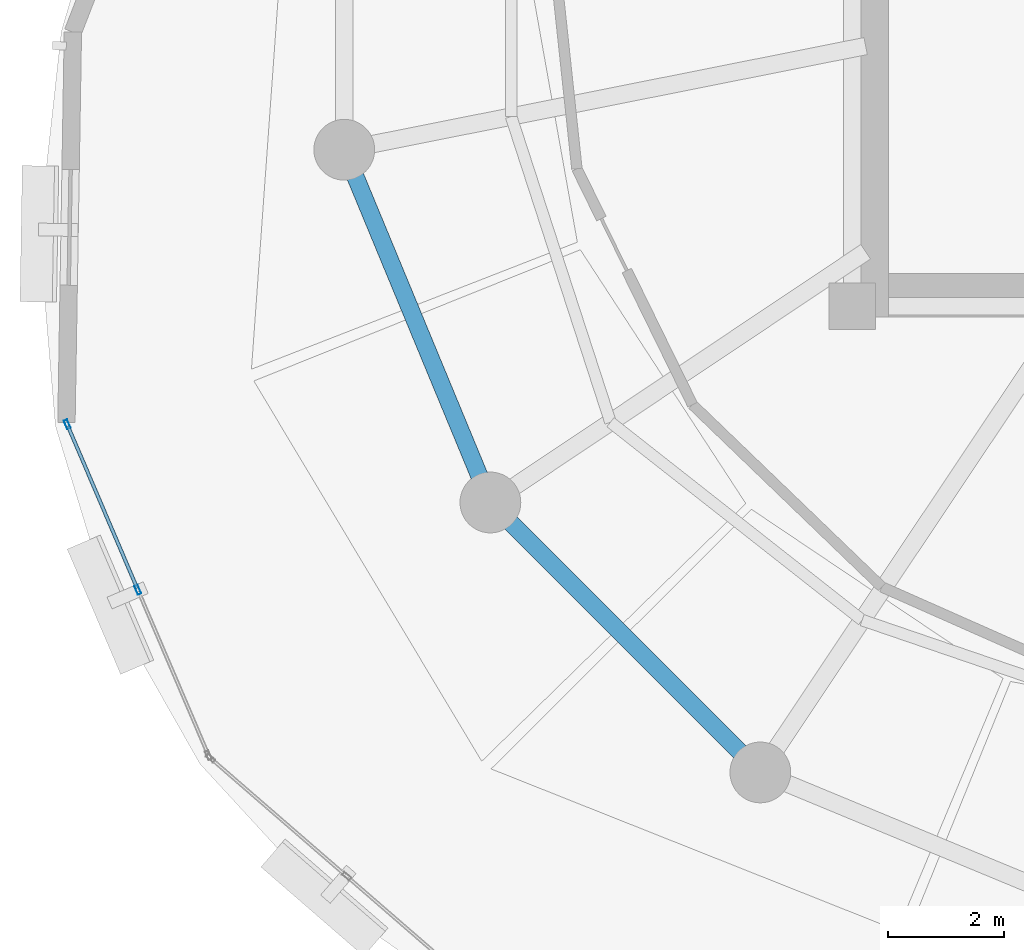
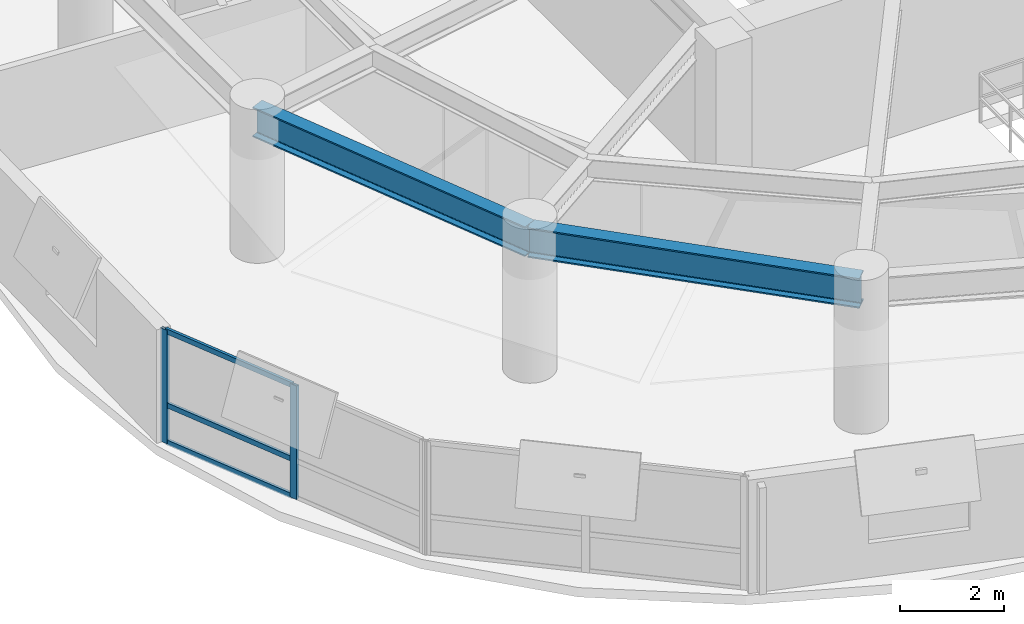
# One storey, part 4 of 12: 5 members, 2 beams, 1 element without a shape of its own.
"""IFC4 building model written with IfcOpenShell, lengths in metres."""

from ifc_helpers import new_model, si_unit, direction, frame, origin, origin_2d, place, context, subcontext, project, spatial, hollow_rectangle, i_section, extrude, material, layer, layer_set, material_profile, profile_set, type_object, element, aggregate, save


model = new_model("IFC4")

# Units and contexts
model_context = context("Model", 3, precision=1e-05, world=origin(), true_north=direction((0.0, 1.0)))
body_context = subcontext(model_context, "Body", "Model", "MODEL_VIEW")
ifc_project = project(units=[si_unit("LENGTHUNIT", "METRE"), si_unit("AREAUNIT", "SQUARE_METRE"), si_unit("VOLUMEUNIT", "CUBIC_METRE"), si_unit("PLANEANGLEUNIT", "RADIAN"), si_unit("MASSUNIT", "GRAM", prefix="KILO"), si_unit("THERMODYNAMICTEMPERATUREUNIT", "KELVIN"), si_unit("POWERUNIT", "WATT")], contexts=[model_context])

# Site, building, storey
site_placement = place(None, origin())
site = spatial("IfcSite", under=ifc_project, at=site_placement, CompositionType="ELEMENT")
building_placement = place(site_placement, origin())
building = spatial("IfcBuilding", under=site, at=building_placement, Name="Ocrelia Relay Tower", CompositionType="ELEMENT")
storey_placement = place(building_placement, frame((0.0, 0.0, 184.39990234375)))
storey = spatial("IfcBuildingStorey", under=building, at=storey_placement, Name="L44", CompositionType="ELEMENT", Elevation=184.39990234375)

# Beams
ifc_material_1 = material(Name="Steel S355", Category="steel")
ifc_material_profile_1 = material_profile(ifc_material_1, i_section(OverallWidth=0.300048828125, OverallDepth=0.699951171875, WebThickness=0.01708984375, FlangeThickness=0.031982421875, FilletRadius=0.027099609375, at=origin_2d()), Name="HEB 700")
ifc_profile_set_1 = profile_set([ifc_material_profile_1], Name="Steel S355")
beam_type = type_object("IfcBeamType", Name="BM-HEB700", PredefinedType="BEAM", material=ifc_profile_set_1)
for number, where, z_axis, x_axis, name in (
    (1, (17.4248046875, 22.702880859375, 3.030029296875), (0.382687508402, -0.923877844151, 0.0), (0.923877844151, 0.382687508402, 0.0), "L44 Perimeter Spandrel Beam S09"),
    (2, (19.9482421875, 16.61083984375, 3.030029296875), (0.707106781187, -0.707106781187, 0.0), (0.707106781187, 0.707106781187, 0.0), "L44 Perimeter Spandrel Beam S10"),
):
    element("IfcBeam", number, at=place(storey_placement, frame(where, z_axis=z_axis, x_axis=x_axis)), inside=storey, type_object=beam_type, Name=name, PredefinedType="BEAM", context=body_context, shape_type="SweptSolid", body=[
        extrude(i_section(OverallWidth=0.300048828125, OverallDepth=0.699951171875, WebThickness=0.01708984375, FlangeThickness=0.031982421875, FilletRadius=0.027099609375, at=origin_2d()), origin(), (0.0, 0.0, 1.0), 6.593994140625),
    ])

# Curtain wall, members
ifc_material_2 = material(Name="Aluminium and solar-control low-E glass", Category="aluminium")
ifc_layer = layer(ifc_material_2, 0.179931640625, Name="Aluminium and solar-control low-E glass")
ifc_layer_set = layer_set([ifc_layer], Name="Aluminium and solar-control low-E glass")
curtain_wall_type = type_object("IfcCurtainWallType", Name="CW-SYS-Z3-CLOU", PredefinedType="NOTDEFINED", material=ifc_layer_set)
curtain_wall_placement = place(storey_placement, origin())
curtain_wall = element("IfcCurtainWall", 3, at=curtain_wall_placement, inside=storey, type_object=curtain_wall_type, Name="L44 Elliptical Tower Curtain Wall Bay 09", PredefinedType="NOTDEFINED")
ifc_material_3 = material(Name="Anodised bronze aluminium", Category="aluminium")
ifc_material_profile_2 = material_profile(ifc_material_3, hollow_rectangle(XDim=0.06494140625, YDim=0.159912109375, WallThickness=0.0048828125, at=origin_2d()), Name="CW-MUL-160x65")
ifc_profile_set_2 = profile_set([ifc_material_profile_2], Name="Anodised bronze aluminium")
member_type_1 = type_object("IfcMemberType", Name="CW-SYS-Z3-CLOU-MUL", PredefinedType="MULLION", material=ifc_profile_set_2)
member_1_placement = place(storey_placement, frame((12.638916015625, 17.9609375, 0.0), z_axis=(0.0, 0.0, 1.0), x_axis=(0.91968752156, 0.392651069891, 0.0)))
member_1 = element("IfcMember", 4, at=member_1_placement, type_object=member_type_1, Name="CW-Z3 mullion 1", PredefinedType="MULLION", context=body_context, shape_type="SweptSolid", body=[
    extrude(hollow_rectangle(XDim=0.06494140625, YDim=0.159912109375, WallThickness=0.0048828125, at=origin_2d()), origin(), (0.0, 0.0, 1.0), 2.66015625),
])
member_2_placement = place(storey_placement, frame((13.859619140625, 15.101806640625, 0.0), z_axis=(0.0, 0.0, 1.0), x_axis=(0.91968752156, 0.392651069891, 0.0)))
member_2 = element("IfcMember", 5, at=member_2_placement, type_object=member_type_1, Name="CW-Z3 mullion 2", PredefinedType="MULLION", context=body_context, shape_type="SweptSolid", body=[
    extrude(hollow_rectangle(XDim=0.06494140625, YDim=0.159912109375, WallThickness=0.0048828125, at=origin_2d()), origin(), (0.0, 0.0, 1.0), 2.66015625),
])
ifc_material_profile_3 = material_profile(ifc_material_3, hollow_rectangle(XDim=0.06005859375, YDim=0.1201171875, WallThickness=0.0048828125, at=origin_2d()), Name="CW-TRN-120x60")
ifc_profile_set_3 = profile_set([ifc_material_profile_3], Name="Anodised bronze aluminium")
member_type_2 = type_object("IfcMemberType", Name="CW-SYS-Z3-CLOU-TRN", PredefinedType="USERDEFINED", material=ifc_profile_set_3)
member_3_placement = place(storey_placement, frame((12.651611328125, 17.93115234375, 0.030029296875), z_axis=(0.392631392027, -0.919695922571, 0.0), x_axis=(0.919695922571, 0.392631392027, 0.0)))
member_3 = element("IfcMember", 6, at=member_3_placement, type_object=member_type_2, Name="CW-Z3 transom 1.1", ObjectType="TRANSOM", PredefinedType="USERDEFINED", context=body_context, shape_type="SweptSolid", body=[
    extrude(hollow_rectangle(XDim=0.06005859375, YDim=0.1201171875, WallThickness=0.0048828125, at=origin_2d()), origin(), (0.0, 0.0, 1.0), 3.043701171875),
])
member_4_placement = place(storey_placement, frame((12.651611328125, 17.93115234375, 0.900146484375), z_axis=(0.392631392027, -0.919695922571, 0.0), x_axis=(0.919695922571, 0.392631392027, 0.0)))
member_4 = element("IfcMember", 7, at=member_4_placement, type_object=member_type_2, Name="CW-Z3 transom 1.2", ObjectType="TRANSOM", PredefinedType="USERDEFINED", context=body_context, shape_type="SweptSolid", body=[
    extrude(hollow_rectangle(XDim=0.06005859375, YDim=0.1201171875, WallThickness=0.0048828125, at=origin_2d()), origin(), (0.0, 0.0, 1.0), 3.043701171875),
])
member_5_placement = place(storey_placement, frame((12.651611328125, 17.93115234375, 2.630126953125), z_axis=(0.392631392027, -0.919695922571, 0.0), x_axis=(0.919695922571, 0.392631392027, 0.0)))
member_5 = element("IfcMember", 8, at=member_5_placement, type_object=member_type_2, Name="CW-Z3 transom 1.3", ObjectType="TRANSOM", PredefinedType="USERDEFINED", context=body_context, shape_type="SweptSolid", body=[
    extrude(hollow_rectangle(XDim=0.06005859375, YDim=0.1201171875, WallThickness=0.0048828125, at=origin_2d()), origin(), (0.0, 0.0, 1.0), 3.043701171875),
])
aggregate(curtain_wall, [member_1, member_2, member_3, member_4, member_5])

save(model, "model.ifc")
